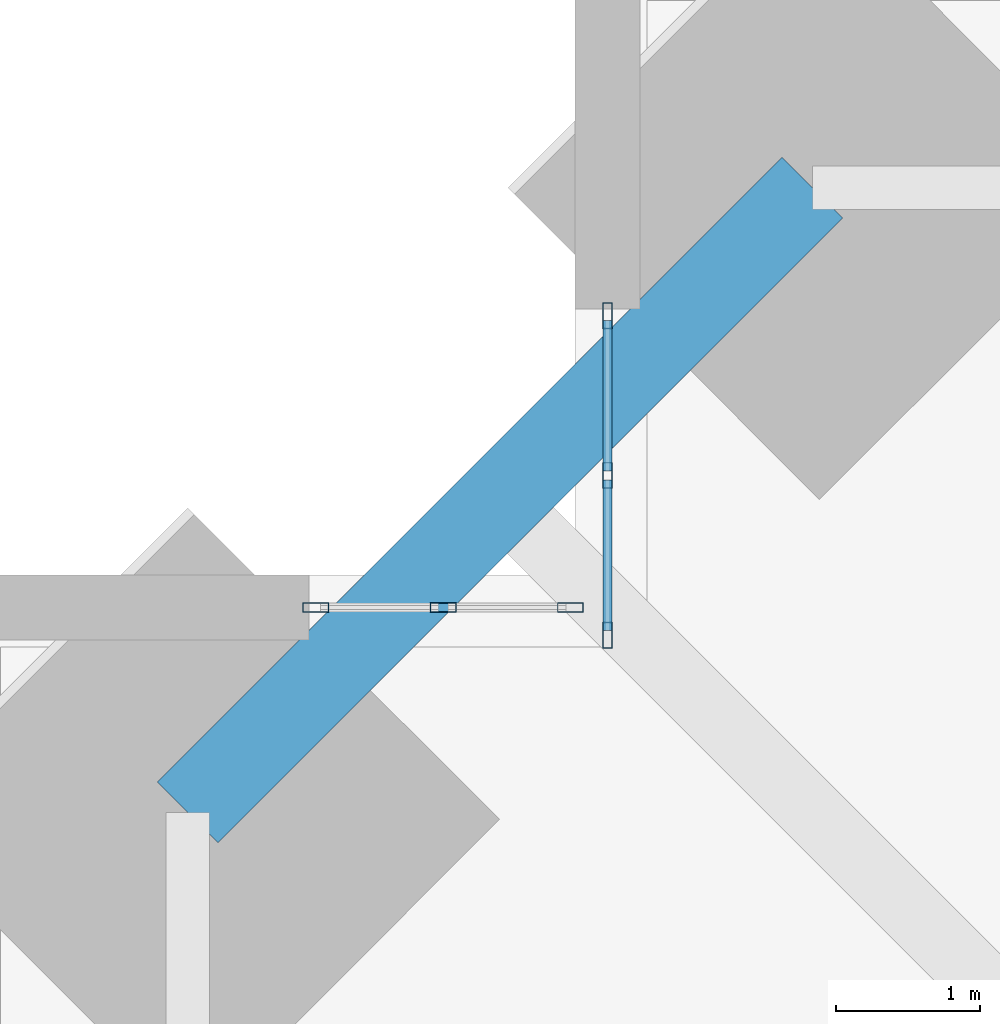
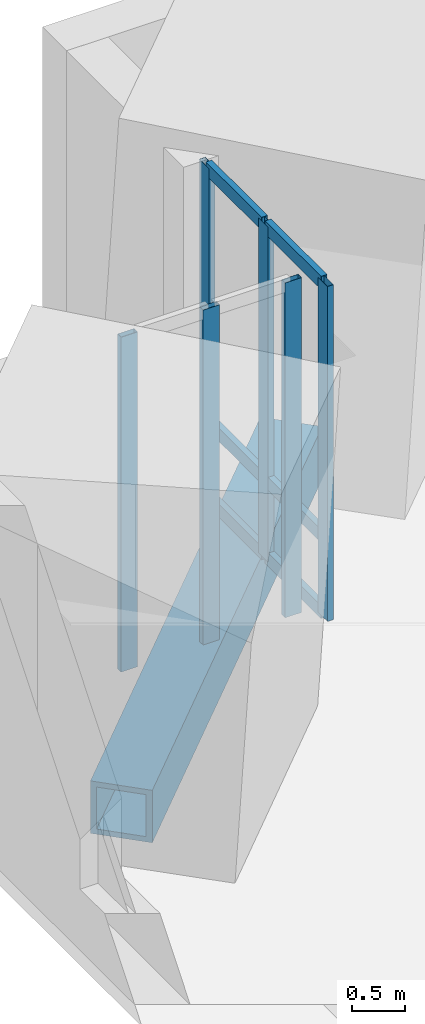
# One storey, part 6 of 15: 12 members, 1 beam, 2 elements without a shape of their own.
"""IFC4 building model written with IfcOpenShell, lengths in metres."""

from ifc_helpers import new_model, si_unit, direction, frame, origin, origin_2d, place, context, subcontext, project, spatial, hollow_rectangle, extrude, material, material_profile, profile_set, type_object, element, aggregate, save


model = new_model("IFC4")

# Units and contexts
model_context = context("Model", 3, precision=1e-05, world=origin(), true_north=direction((0.0, 1.0)))
body_context = subcontext(model_context, "Body", "Model", "MODEL_VIEW")
ifc_project = project(units=[si_unit("LENGTHUNIT", "METRE"), si_unit("AREAUNIT", "SQUARE_METRE"), si_unit("VOLUMEUNIT", "CUBIC_METRE"), si_unit("PLANEANGLEUNIT", "RADIAN"), si_unit("MASSUNIT", "GRAM", prefix="KILO")], contexts=[model_context])

# Site, building, storey
site_placement = place(None, origin())
site = spatial("IfcSite", under=ifc_project, at=site_placement, CompositionType="ELEMENT")
building_placement = place(site_placement, origin())
building = spatial("IfcBuilding", under=site, at=building_placement, Name="Peilmerk Tower", CompositionType="ELEMENT")
storey_placement = place(building_placement, frame((0.0, 0.0, 205.800048828125)))
storey = spatial("IfcBuildingStorey", under=building, at=storey_placement, Name="L44", CompositionType="ELEMENT", Elevation=205.800048828125)

# Beam
ifc_material_1 = material(Name="Steel S460", Category="steel")
ifc_material_profile_1 = material_profile(ifc_material_1, hollow_rectangle(XDim=0.60009765625, YDim=0.60009765625, WallThickness=0.06005859375, at=origin_2d()), Name="BOX 600x600x60")
ifc_profile_set_1 = profile_set([ifc_material_profile_1], Name="Steel S460")
beam_type = type_object("IfcBeamType", Name="B20 BOX 600x600x60 notch beam", PredefinedType="SPANDREL", material=ifc_profile_set_1)
beam_placement = place(storey_placement, frame((-22.598388671875, 18.248291015625, -0.469970703125), z_axis=(0.707106781187, 0.707106781187, 0.0), x_axis=(-0.707106781187, 0.707106781187, 0.0)))
element("IfcBeam", 1, at=beam_placement, inside=storey, type_object=beam_type, Name="Notch beam L44", PredefinedType="SPANDREL", context=body_context, shape_type="SweptSolid", body=[
    extrude(hollow_rectangle(XDim=0.60009765625, YDim=0.60009765625, WallThickness=0.06005859375, at=origin_2d()), origin(), (0.0, 0.0, 1.0), 6.15185546875),
])

# Curtain wall, members
ifc_material_2 = material(Name="Aluminium stick curtain wall", Category="aluminium")
curtain_wall_type = type_object("IfcCurtainWallType", Name="CW4 stick curtain wall, 2250 module", PredefinedType="NOTDEFINED", material=ifc_material_2)
curtain_wall_1_placement = place(storey_placement, origin())
curtain_wall_1 = element("IfcCurtainWall", 2, at=curtain_wall_1_placement, inside=storey, type_object=curtain_wall_type, Name="Curtain wall CW4 NWA L44", PredefinedType="NOTDEFINED")
ifc_material_3 = material(Name="Aluminium EN AW-6063 T6", Category="aluminium")
ifc_material_profile_2 = material_profile(ifc_material_3, hollow_rectangle(XDim=0.06494140625, YDim=0.179931640625, WallThickness=0.0029296875, at=origin_2d()), Name="AL 180x65x3")
ifc_profile_set_2 = profile_set([ifc_material_profile_2], Name="Aluminium EN AW-6063 T6")
member_type_1 = type_object("IfcMemberType", Name="CW4-M AL 180x65x3 mullion", PredefinedType="MULLION", material=ifc_profile_set_2)
member_1_placement = place(storey_placement, frame((-19.675048828125, 19.482421875, 0.0), z_axis=(0.0, 0.0, 1.0), x_axis=(-1.0, 0.0, 0.0)))
member_1 = element("IfcMember", 3, at=member_1_placement, type_object=member_type_1, Name="CW4 mullion 1", PredefinedType="MULLION", context=body_context, shape_type="SweptSolid", body=[
    extrude(hollow_rectangle(XDim=0.06494140625, YDim=0.179931640625, WallThickness=0.0029296875, at=origin_2d()), origin(), (0.0, 0.0, 1.0), 3.829833984375),
])
member_2_placement = place(storey_placement, frame((-19.675048828125, 20.59423828125, 0.0), z_axis=(0.0, 0.0, 1.0), x_axis=(-1.0, 0.0, 0.0)))
member_2 = element("IfcMember", 4, at=member_2_placement, type_object=member_type_1, Name="CW4 mullion 2", PredefinedType="MULLION", context=body_context, shape_type="SweptSolid", body=[
    extrude(hollow_rectangle(XDim=0.06494140625, YDim=0.179931640625, WallThickness=0.0029296875, at=origin_2d()), origin(), (0.0, 0.0, 1.0), 3.829833984375),
])
member_3_placement = place(storey_placement, frame((-19.675048828125, 21.706298828125, 0.0), z_axis=(0.0, 0.0, 1.0), x_axis=(-1.0, 0.0, 0.0)))
member_3 = element("IfcMember", 5, at=member_3_placement, type_object=member_type_1, Name="CW4 mullion 3", PredefinedType="MULLION", context=body_context, shape_type="SweptSolid", body=[
    extrude(hollow_rectangle(XDim=0.06494140625, YDim=0.179931640625, WallThickness=0.0029296875, at=origin_2d()), origin(), (0.0, 0.0, 1.0), 3.829833984375),
])

curtain_wall_2_placement = place(storey_placement, origin())
curtain_wall_2 = element("IfcCurtainWall", 6, at=curtain_wall_2_placement, inside=storey, type_object=curtain_wall_type, Name="Curtain wall CW4 NWB L44", PredefinedType="NOTDEFINED")
member_4_placement = place(storey_placement, frame((-19.9326171875, 19.675048828125, 0.0), z_axis=(0.0, 0.0, 1.0), x_axis=(0.0, -1.0, 0.0)))
member_4 = element("IfcMember", 7, at=member_4_placement, type_object=member_type_1, Name="CW4 mullion 1", PredefinedType="MULLION", context=body_context, shape_type="SweptSolid", body=[
    extrude(hollow_rectangle(XDim=0.06494140625, YDim=0.179931640625, WallThickness=0.0029296875, at=origin_2d()), origin(), (0.0, 0.0, 1.0), 3.829833984375),
])
member_5_placement = place(storey_placement, frame((-20.8193359375, 19.675048828125, 0.0), z_axis=(0.0, 0.0, 1.0), x_axis=(0.0, -1.0, 0.0)))
member_5 = element("IfcMember", 8, at=member_5_placement, type_object=member_type_1, Name="CW4 mullion 2", PredefinedType="MULLION", context=body_context, shape_type="SweptSolid", body=[
    extrude(hollow_rectangle(XDim=0.06494140625, YDim=0.179931640625, WallThickness=0.0029296875, at=origin_2d()), origin(), (0.0, 0.0, 1.0), 3.829833984375),
])
member_6_placement = place(storey_placement, frame((-21.706298828125, 19.675048828125, 0.0), z_axis=(0.0, 0.0, 1.0), x_axis=(0.0, -1.0, 0.0)))
member_6 = element("IfcMember", 9, at=member_6_placement, type_object=member_type_1, Name="CW4 mullion 3", PredefinedType="MULLION", context=body_context, shape_type="SweptSolid", body=[
    extrude(hollow_rectangle(XDim=0.06494140625, YDim=0.179931640625, WallThickness=0.0029296875, at=origin_2d()), origin(), (0.0, 0.0, 1.0), 3.829833984375),
])
aggregate(curtain_wall_2, [member_4, member_5, member_6])

# Member
ifc_material_profile_3 = material_profile(ifc_material_3, hollow_rectangle(XDim=0.06494140625, YDim=0.14990234375, WallThickness=0.0029296875, at=origin_2d()), Name="AL 150x65x3")
ifc_profile_set_3 = profile_set([ifc_material_profile_3], Name="Aluminium EN AW-6063 T6")
member_type_2 = type_object("IfcMemberType", Name="CW4-T AL 150x65x3 transom", PredefinedType="USERDEFINED", material=ifc_profile_set_3)
member_7_placement = place(storey_placement, frame((-19.675048828125, 19.514892578125, 0.032470703125), z_axis=(0.0, 1.0, 0.0), x_axis=(-1.0, 0.0, 0.0)))
member_7 = element("IfcMember", 10, at=member_7_placement, type_object=member_type_2, Name="CW4 transom 1.1", ObjectType="TRANSOM", PredefinedType="USERDEFINED", context=body_context, shape_type="SweptSolid", body=[
    extrude(hollow_rectangle(XDim=0.06494140625, YDim=0.14990234375, WallThickness=0.0029296875, at=origin_2d()), origin(), (0.0, 0.0, 1.0), 1.046875),
])

member_8_placement = place(storey_placement, frame((-19.675048828125, 19.514892578125, 0.89990234375), z_axis=(0.0, 1.0, 0.0), x_axis=(-1.0, 0.0, 0.0)))
member_8 = element("IfcMember", 11, at=member_8_placement, type_object=member_type_2, Name="CW4 transom 1.2", ObjectType="TRANSOM", PredefinedType="USERDEFINED", context=body_context, shape_type="SweptSolid", body=[
    extrude(hollow_rectangle(XDim=0.06494140625, YDim=0.14990234375, WallThickness=0.0029296875, at=origin_2d()), origin(), (0.0, 0.0, 1.0), 1.046875),
])

member_9_placement = place(storey_placement, frame((-19.675048828125, 19.514892578125, 3.79736328125), z_axis=(0.0, 1.0, 0.0), x_axis=(-1.0, 0.0, 0.0)))
member_9 = element("IfcMember", 12, at=member_9_placement, type_object=member_type_2, Name="CW4 transom 1.3", ObjectType="TRANSOM", PredefinedType="USERDEFINED", context=body_context, shape_type="SweptSolid", body=[
    extrude(hollow_rectangle(XDim=0.06494140625, YDim=0.14990234375, WallThickness=0.0029296875, at=origin_2d()), origin(), (0.0, 0.0, 1.0), 1.046875),
])

member_10_placement = place(storey_placement, frame((-19.675048828125, 20.626953125, 0.032470703125), z_axis=(0.0, 1.0, 0.0), x_axis=(-1.0, 0.0, 0.0)))
member_10 = element("IfcMember", 13, at=member_10_placement, type_object=member_type_2, Name="CW4 transom 2.1", ObjectType="TRANSOM", PredefinedType="USERDEFINED", context=body_context, shape_type="SweptSolid", body=[
    extrude(hollow_rectangle(XDim=0.06494140625, YDim=0.14990234375, WallThickness=0.0029296875, at=origin_2d()), origin(), (0.0, 0.0, 1.0), 1.046630859375),
])

member_11_placement = place(storey_placement, frame((-19.675048828125, 20.626953125, 0.89990234375), z_axis=(0.0, 1.0, 0.0), x_axis=(-1.0, 0.0, 0.0)))
member_11 = element("IfcMember", 14, at=member_11_placement, type_object=member_type_2, Name="CW4 transom 2.2", ObjectType="TRANSOM", PredefinedType="USERDEFINED", context=body_context, shape_type="SweptSolid", body=[
    extrude(hollow_rectangle(XDim=0.06494140625, YDim=0.14990234375, WallThickness=0.0029296875, at=origin_2d()), origin(), (0.0, 0.0, 1.0), 1.046630859375),
])

member_12_placement = place(storey_placement, frame((-19.675048828125, 20.626953125, 3.79736328125), z_axis=(0.0, 1.0, 0.0), x_axis=(-1.0, 0.0, 0.0)))
member_12 = element("IfcMember", 15, at=member_12_placement, type_object=member_type_2, Name="CW4 transom 2.3", ObjectType="TRANSOM", PredefinedType="USERDEFINED", context=body_context, shape_type="SweptSolid", body=[
    extrude(hollow_rectangle(XDim=0.06494140625, YDim=0.14990234375, WallThickness=0.0029296875, at=origin_2d()), origin(), (0.0, 0.0, 1.0), 1.046630859375),
])

aggregate(curtain_wall_1, [member_1, member_2, member_3, member_7, member_8, member_9, member_10, member_11, member_12])

save(model, "model.ifc")
